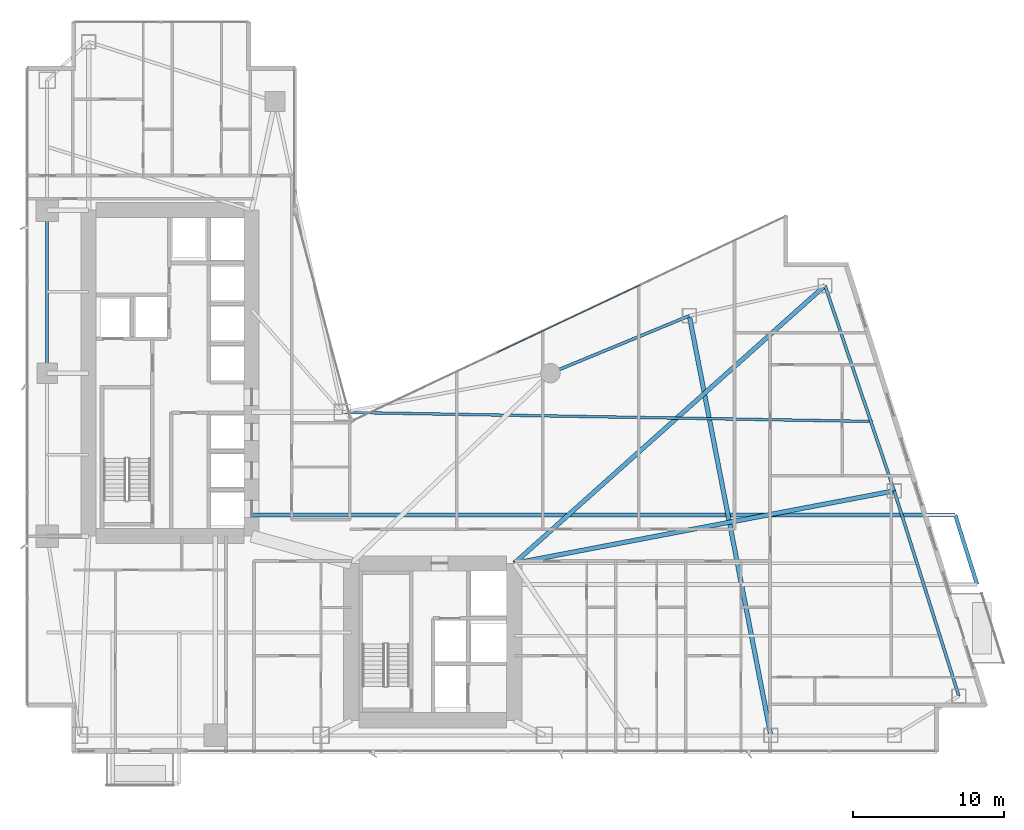
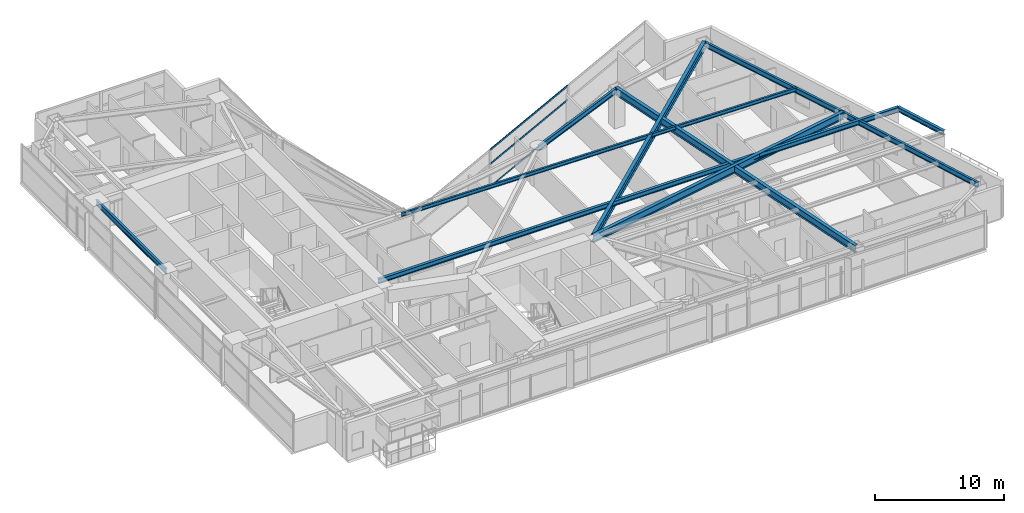
# One storey, part 15 of 30: 10 beams, 3 members, 1 element without a shape of its own.
"""IFC4 building model written with IfcOpenShell, lengths in metres."""

from ifc_helpers import new_model, si_unit, direction, frame, origin, origin_2d, place, context, subcontext, project, spatial, hollow_rectangle, i_section, extrude, material, layer, layer_set, material_profile, profile_set, type_object, element, aggregate, save


model = new_model("IFC4")

# Units and contexts
model_context = context("Model", 3, precision=1e-05, world=origin(), true_north=direction((0.0, 1.0)))
body_context = subcontext(model_context, "Body", "Model", "MODEL_VIEW")
ifc_project = project(units=[si_unit("LENGTHUNIT", "METRE"), si_unit("AREAUNIT", "SQUARE_METRE"), si_unit("VOLUMEUNIT", "CUBIC_METRE"), si_unit("PLANEANGLEUNIT", "RADIAN"), si_unit("MASSUNIT", "GRAM", prefix="KILO")], contexts=[model_context])

# Site, building, storey
site_placement = place(None, origin())
site = spatial("IfcSite", under=ifc_project, at=site_placement, CompositionType="ELEMENT")
building_placement = place(site_placement, origin())
building = spatial("IfcBuilding", under=site, at=building_placement, Name="Calvorn Quay Hotel", CompositionType="ELEMENT")
storey_placement = place(building_placement, frame((0.0, 0.0, 54.60009765625)))
storey = spatial("IfcBuildingStorey", under=building, at=storey_placement, Name="L12", CompositionType="ELEMENT", Elevation=54.60009765625)

# Beams
ifc_material_1 = material(Name="Steel Q355B", Category="steel")
ifc_material_profile_1 = material_profile(ifc_material_1, i_section(OverallWidth=0.25, OverallDepth=0.449951171875, WebThickness=0.011962890625, FlangeThickness=0.01611328125, FilletRadius=0.01611328125, at=origin_2d()), Name="HN450x250x12x16")
ifc_profile_set_1 = profile_set([ifc_material_profile_1], Name="Steel Q355B")
beam_type_1 = type_object("IfcBeamType", Name="BM-CANT-BALC", PredefinedType="BEAM", material=ifc_profile_set_1)
beam_1_placement = place(storey_placement, frame((15.0, 18.199951171875, 3.31494140625), z_axis=(1.0, 0.0, 0.0), x_axis=(0.0, 1.0, 0.0)))
element("IfcBeam", 1, at=beam_1_placement, inside=storey, type_object=beam_type_1, Name="Cantilever Balcony Beam BCB-L13-1B", PredefinedType="BEAM", context=body_context, shape_type="SweptSolid", body=[
    extrude(i_section(OverallWidth=0.25, OverallDepth=0.449951171875, WebThickness=0.011962890625, FlangeThickness=0.01611328125, FilletRadius=0.01611328125, at=origin_2d()), origin(), (0.0, 0.0, 1.0), 46.6201171875),
])
beam_2_placement = place(storey_placement, frame((63.069091796875, 13.60009765625, 3.31494140625), z_axis=(-0.300450487966, 0.953797412599, 0.0), x_axis=(-0.953797412599, -0.300450487966, 0.0)))
element("IfcBeam", 2, at=beam_2_placement, inside=storey, type_object=beam_type_1, Name="Beam BCBO-L13-1", PredefinedType="BEAM", context=body_context, shape_type="SweptSolid", body=[
    extrude(i_section(OverallWidth=0.25, OverallDepth=0.449951171875, WebThickness=0.011962890625, FlangeThickness=0.01611328125, FilletRadius=0.01611328125, at=origin_2d()), origin(), (0.0, 0.0, 1.0), 4.82275390625),
])
ifc_material_2 = material(Name="Steel Q390GJC", Category="steel")
ifc_material_profile_2 = material_profile(ifc_material_2, i_section(OverallWidth=0.300048828125, OverallDepth=0.699951171875, WebThickness=0.012939453125, FlangeThickness=0.02392578125, FilletRadius=0.02392578125, at=origin_2d()), Name="HN700x300x13x24")
ifc_profile_set_2 = profile_set([ifc_material_profile_2], Name="Steel Q390GJC")
beam_type_2 = type_object("IfcBeamType", Name="BM-GIRD-MAIN", PredefinedType="BEAM", material=ifc_profile_set_2)
beam_3_placement = place(storey_placement, frame((32.39990234375, 15.0, 3.18994140625), z_axis=(0.982305450614, 0.18728588226, 0.0), x_axis=(-0.18728588226, 0.982305450614, 0.0)))
element("IfcBeam", 3, at=beam_3_placement, inside=storey, type_object=beam_type_2, Name="Beam BG-L12-E2", PredefinedType="BEAM", context=body_context, shape_type="SweptSolid", body=[
    extrude(i_section(OverallWidth=0.300048828125, OverallDepth=0.699951171875, WebThickness=0.012939453125, FlangeThickness=0.02392578125, FilletRadius=0.02392578125, at=origin_2d()), origin(), (0.0, 0.0, 1.0), 25.629638671875),
])
beam_4_placement = place(storey_placement, frame((32.39990234375, 15.0, 3.18994140625), z_axis=(0.745667316004, 0.666318432766, 0.0), x_axis=(-0.666318432766, 0.745667316004, 0.0)))
element("IfcBeam", 4, at=beam_4_placement, inside=storey, type_object=beam_type_2, Name="Beam BG-L12-E3", PredefinedType="BEAM", context=body_context, shape_type="SweptSolid", body=[
    extrude(i_section(OverallWidth=0.300048828125, OverallDepth=0.699951171875, WebThickness=0.012939453125, FlangeThickness=0.02392578125, FilletRadius=0.02392578125, at=origin_2d()), origin(), (0.0, 0.0, 1.0), 27.6142578125),
])
beam_5_placement = place(storey_placement, frame((49.39990234375, 3.60009765625, 3.18994140625), z_axis=(-0.190678596862, 0.981652521363, 0.0), x_axis=(-0.981652521363, -0.190678596862, 0.0)))
element("IfcBeam", 5, at=beam_5_placement, inside=storey, type_object=beam_type_2, Name="Beam BG-L12-E5", PredefinedType="BEAM", context=body_context, shape_type="SweptSolid", body=[
    extrude(i_section(OverallWidth=0.300048828125, OverallDepth=0.699951171875, WebThickness=0.012939453125, FlangeThickness=0.02392578125, FilletRadius=0.02392578125, at=origin_2d()), origin(), (0.0, 0.0, 1.0), 28.3193359375),
])
ifc_material_3 = material(Name="Steel Q355B", Category="steel")
ifc_material_profile_3 = material_profile(ifc_material_3, i_section(OverallWidth=0.175048828125, OverallDepth=0.35009765625, WebThickness=0.007080078125, FlangeThickness=0.010986328125, FilletRadius=0.013916015625, at=origin_2d()), Name="HN350x175x7x11")
ifc_profile_set_3 = profile_set([ifc_material_profile_3], Name="Steel Q355B")
beam_type_3 = type_object("IfcBeamType", Name="BM-JOIST-SEC", PredefinedType="JOIST", material=ifc_profile_set_3)
beam_6_placement = place(storey_placement, frame((21.0, 25.0, 3.364990234375), z_axis=(0.999854105858, -0.017081188436, 0.0), x_axis=(0.017081188436, 0.999854105858, 0.0)))
element("IfcBeam", 6, at=beam_6_placement, inside=storey, type_object=beam_type_3, Name="Beam BJ-L12-E3", PredefinedType="JOIST", context=body_context, shape_type="SweptSolid", body=[
    extrude(i_section(OverallWidth=0.175048828125, OverallDepth=0.35009765625, WebThickness=0.007080078125, FlangeThickness=0.010986328125, FilletRadius=0.013916015625, at=origin_2d()), origin(), (0.0, 0.0, 1.0), 35.132080078125),
])
ifc_material_4 = material(Name="Steel Q355B", Category="steel")
ifc_material_profile_4 = material_profile(ifc_material_4, i_section(OverallWidth=0.199951171875, OverallDepth=0.5, WebThickness=0.010009765625, FlangeThickness=0.01611328125, FilletRadius=0.01611328125, at=origin_2d()), Name="HN500x200x10x16")
ifc_profile_set_4 = profile_set([ifc_material_profile_4], Name="Steel Q355B")
beam_type_4 = type_object("IfcBeamType", Name="BM-SPANDREL-Z1", PredefinedType="SPANDREL", material=ifc_profile_set_4)
beam_7_placement = place(storey_placement, frame((1.449951171875, 27.60009765625, 3.289794921875), z_axis=(0.0, 1.0, 0.0), x_axis=(-1.0, 0.0, 0.0)))
element("IfcBeam", 7, at=beam_7_placement, inside=storey, type_object=beam_type_4, Name="Beam BSP-L12-W3", PredefinedType="SPANDREL", context=body_context, shape_type="SweptSolid", body=[
    extrude(i_section(OverallWidth=0.199951171875, OverallDepth=0.5, WebThickness=0.010009765625, FlangeThickness=0.01611328125, FilletRadius=0.01611328125, at=origin_2d()), origin(), (0.0, 0.0, 1.0), 10.7998046875),
])
beam_8_placement = place(storey_placement, frame((61.861083984375, 6.199951171875, 3.289794921875), z_axis=(-0.300518378216, 0.953776024208, 0.0), x_axis=(-0.953776024208, -0.300518378216, 0.0)))
element("IfcBeam", 8, at=beam_8_placement, inside=storey, type_object=beam_type_4, Name="Beam BSP-L12-E1", PredefinedType="SPANDREL", context=body_context, shape_type="SweptSolid", body=[
    extrude(i_section(OverallWidth=0.199951171875, OverallDepth=0.5, WebThickness=0.010009765625, FlangeThickness=0.01611328125, FilletRadius=0.01611328125, at=origin_2d()), origin(), (0.0, 0.0, 1.0), 14.25927734375),
])
beam_9_placement = place(storey_placement, frame((57.575927734375, 19.800048828125, 3.289794921875), z_axis=(-0.319466515944, 0.947597564998, 0.0), x_axis=(-0.947597564998, -0.319466515944, 0.0)))
element("IfcBeam", 9, at=beam_9_placement, inside=storey, type_object=beam_type_4, Name="Beam BSP-L12-E2", PredefinedType="SPANDREL", context=body_context, shape_type="SweptSolid", body=[
    extrude(i_section(OverallWidth=0.199951171875, OverallDepth=0.5, WebThickness=0.010009765625, FlangeThickness=0.01611328125, FilletRadius=0.01611328125, at=origin_2d()), origin(), (0.0, 0.0, 1.0), 14.35205078125),
])
beam_10_placement = place(storey_placement, frame((44.0, 31.39990234375, 3.289794921875), z_axis=(-0.92426763497, -0.381745123017, 0.0), x_axis=(0.381745123017, -0.92426763497, 0.0)))
element("IfcBeam", 10, at=beam_10_placement, inside=storey, type_object=beam_type_4, Name="Beam BSP-L12-E4", PredefinedType="SPANDREL", context=body_context, shape_type="SweptSolid", body=[
    extrude(i_section(OverallWidth=0.199951171875, OverallDepth=0.5, WebThickness=0.010009765625, FlangeThickness=0.01611328125, FilletRadius=0.01611328125, at=origin_2d()), origin(), (0.0, 0.0, 1.0), 9.953857421875),
])

# Curtain wall, members
ifc_material_5 = material(Name="Pale Anodised Aluminium and Low-E Glass", Category="aluminium")
ifc_layer = layer(ifc_material_5, 0.219970703125)
ifc_layer_set = layer_set([ifc_layer], Name="CW-SYS-Z1")
curtain_wall_type = type_object("IfcCurtainWallType", Name="CW-SYS-Z1", PredefinedType="NOTDEFINED", material=ifc_layer_set)
curtain_wall_placement = place(storey_placement, origin())
curtain_wall = element("IfcCurtainWall", 11, at=curtain_wall_placement, inside=storey, type_object=curtain_wall_type, Name="Inner Court Curtain Wall L12-NE1", PredefinedType="NOTDEFINED")
ifc_material_6 = material(Name="Pale Anodised Aluminium 6063-T6", Category="aluminium")
ifc_material_profile_5 = material_profile(ifc_material_6, hollow_rectangle(XDim=0.06494140625, YDim=0.1650390625, WallThickness=0.00341796875, at=origin_2d()), Name="ALU-T165x65x3.5")
ifc_profile_set_5 = profile_set([ifc_material_profile_5], Name="Pale Anodised Aluminium 6063-T6")
member_type = type_object("IfcMemberType", Name="CW-SYS-Z1-TRN", PredefinedType="USERDEFINED", material=ifc_profile_set_5)
member_1_placement = place(storey_placement, frame((40.77294921875, 33.453857421875, 0.02978515625), z_axis=(-0.904247654564, -0.427008406493, 0.0), x_axis=(0.427008406493, -0.904247654564, 0.0)))
member_1 = element("IfcMember", 12, at=member_1_placement, type_object=member_type, Name="CW-L12-NE1 transom 2.1", ObjectType="TRANSOM", PredefinedType="USERDEFINED", context=body_context, shape_type="SweptSolid", body=[
    extrude(hollow_rectangle(XDim=0.06494140625, YDim=0.1650390625, WallThickness=0.00341796875, at=origin_2d()), origin(), (0.0, 0.0, 1.0), 10.556640625),
])
member_2_placement = place(storey_placement, frame((40.77294921875, 33.453857421875, 2.199951171875), z_axis=(-0.904247654564, -0.427008406493, 0.0), x_axis=(0.427008406493, -0.904247654564, 0.0)))
member_2 = element("IfcMember", 13, at=member_2_placement, type_object=member_type, Name="CW-L12-NE1 transom 2.2", ObjectType="TRANSOM", PredefinedType="USERDEFINED", context=body_context, shape_type="SweptSolid", body=[
    extrude(hollow_rectangle(XDim=0.06494140625, YDim=0.1650390625, WallThickness=0.00341796875, at=origin_2d()), origin(), (0.0, 0.0, 1.0), 10.556640625),
])
member_3_placement = place(storey_placement, frame((40.77294921875, 33.453857421875, 3.52978515625), z_axis=(-0.904247654564, -0.427008406493, 0.0), x_axis=(0.427008406493, -0.904247654564, 0.0)))
member_3 = element("IfcMember", 14, at=member_3_placement, type_object=member_type, Name="CW-L12-NE1 transom 2.3", ObjectType="TRANSOM", PredefinedType="USERDEFINED", context=body_context, shape_type="SweptSolid", body=[
    extrude(hollow_rectangle(XDim=0.06494140625, YDim=0.1650390625, WallThickness=0.00341796875, at=origin_2d()), origin(), (0.0, 0.0, 1.0), 10.556640625),
])
aggregate(curtain_wall, [member_1, member_2, member_3])

save(model, "model.ifc")
